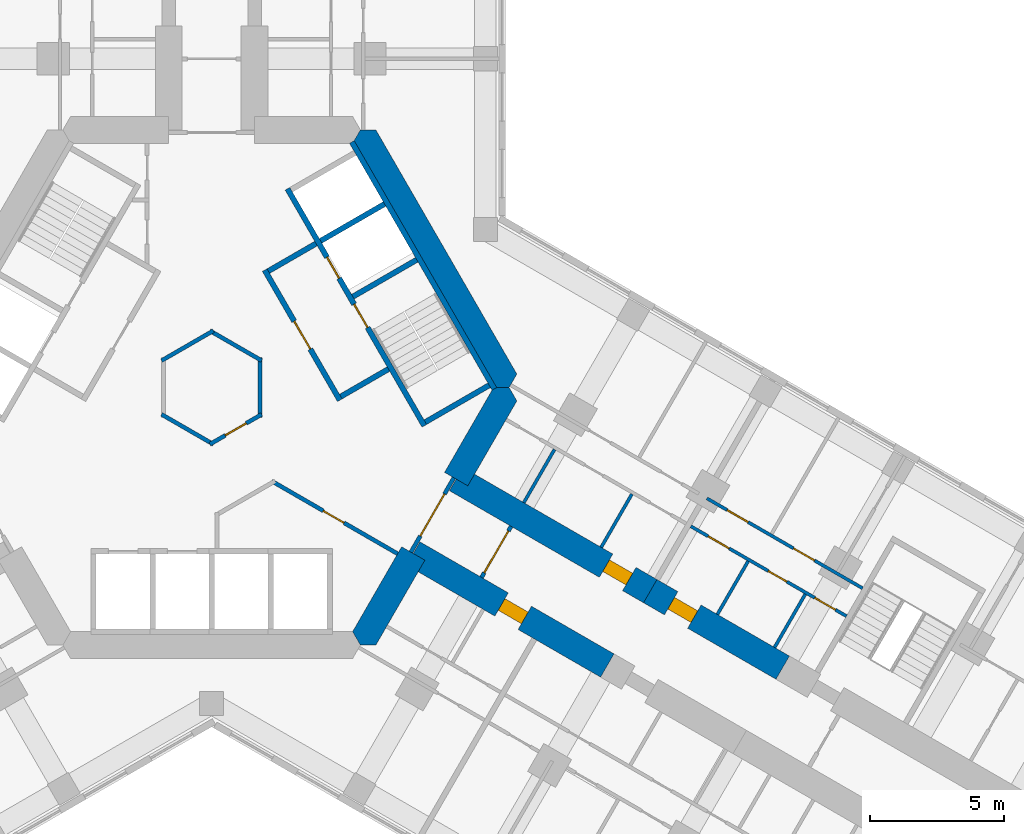
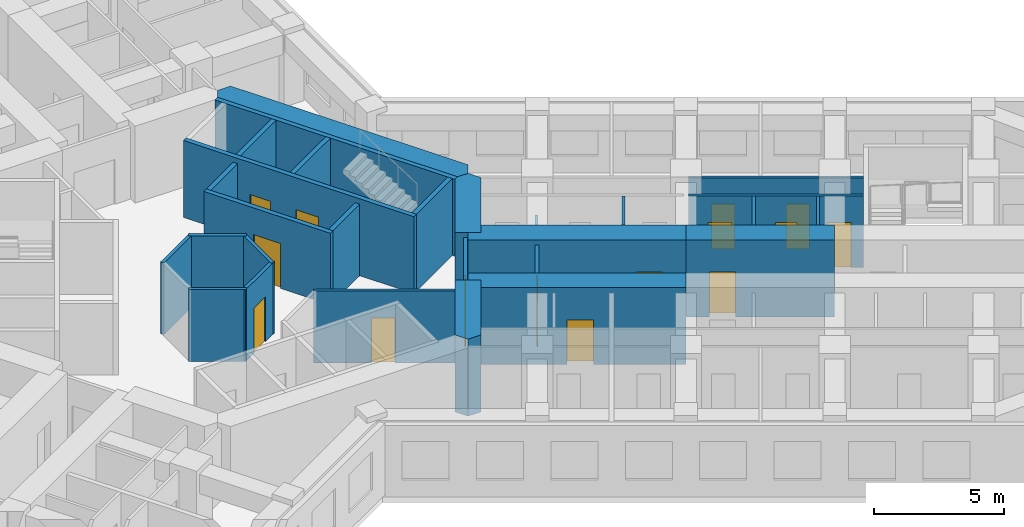
# One storey, part 15 of 21: 28 walls, 15 doors, 15 openings.
"""IFC4 building model written with IfcOpenShell, lengths in metres."""

from ifc_helpers import new_model, si_unit, direction, frame, frame_2d, origin, place, context, subcontext, project, spatial, polyline, rectangle, outline, extrude, material, layer, layer_set, type_object, element, fill, save


model = new_model("IFC4")

# Units and contexts
model_context = context("Model", 3, precision=1e-05, world=origin(), true_north=direction((0.0, 1.0)))
body_context = subcontext(model_context, "Body", "Model", "MODEL_VIEW")
ifc_project = project(units=[si_unit("LENGTHUNIT", "METRE"), si_unit("AREAUNIT", "SQUARE_METRE"), si_unit("VOLUMEUNIT", "CUBIC_METRE"), si_unit("PLANEANGLEUNIT", "RADIAN"), si_unit("MASSUNIT", "GRAM", prefix="KILO")], contexts=[model_context])

# Site, building, storey
site_placement = place(None, origin())
site = spatial("IfcSite", under=ifc_project, at=site_placement, CompositionType="ELEMENT")
building_placement = place(site_placement, origin())
building = spatial("IfcBuilding", under=site, at=building_placement, Name="Kosmar Iwan School Tower", CompositionType="ELEMENT")
storey_placement = place(building_placement, frame((0.0, 0.0, 80.800048828125)))
storey = spatial("IfcBuildingStorey", under=building, at=storey_placement, Name="L19", CompositionType="ELEMENT", Elevation=80.800048828125)

# Wall, opening, door
ifc_material_1 = material(Name="Gypsum board on steel studs, fire-rated", Category="steel")
ifc_layer_1 = layer(ifc_material_1, 0.14990234375)
ifc_layer_set_1 = layer_set([ifc_layer_1], Name="Core room partition 150")
wall_type_1 = type_object("IfcWallType", Name="Core room partition 150", PredefinedType="PARTITIONING", material=ifc_layer_set_1)
wall_1_placement = place(storey_placement, frame((1.864990234375, -1.001708984375, 0.0), z_axis=(0.0, 0.0, 1.0), x_axis=(-0.866023215828, -0.500003789632, 0.0)))
wall_1 = element("IfcWall", 1, at=wall_1_placement, inside=storey, type_object=wall_type_1, Name="Core room partition L19-CW4", PredefinedType="PARTITIONING", context=body_context, shape_type="SweptSolid", body=[
    extrude(rectangle(XDim=2.228515625, YDim=0.14990234375, at=frame_2d((1.1142578125, 0.0))), origin(), (0.0, 0.0, 1.0), 3.349853515625),
])
opening_1_placement = place(wall_1_placement, frame((0.6640625, 0.0, 0.0)))
opening_1 = element("IfcOpeningElement", 2, at=opening_1_placement, cuts=wall_1, Name="Opening D14", PredefinedType="OPENING", context=body_context, shape_type="SweptSolid", body=[
    extrude(rectangle(XDim=0.89990234375, YDim=2.10009765625, at=frame_2d((0.449951171875, 1.050048828125))), frame((0.0, 0.0869140625, 0.0), z_axis=(0.0, -1.0, 0.0), x_axis=(1.0, 0.0, 0.0)), (0.0, 0.0, 1.0), 0.173828125),
])
ifc_material_2 = material(Name="Timber fire door in steel frame", Category="steel")
door_type_1 = type_object("IfcDoorType", Name="Core room door 900x2100", OperationType="SINGLE_SWING_LEFT", PredefinedType="DOOR", material=ifc_material_2)
door_1_placement = place(opening_1_placement, origin())
door_1 = element("IfcDoor", 3, at=door_1_placement, inside=storey, type_object=door_type_1, Name="Communications room door L19 3", OperationType="SINGLE_SWING_RIGHT", OverallHeight=2.10009765625, OverallWidth=0.89990234375, PredefinedType="DOOR", context=body_context, shape_type="SweptSolid", body=[
    extrude(rectangle(XDim=0.89990234375, YDim=2.10009765625, at=frame_2d((0.449951171875, 1.050048828125))), frame((0.0, 0.02490234375, 0.0), z_axis=(0.0, -1.0, 0.0), x_axis=(1.0, 0.0, 0.0)), (0.0, 0.0, 1.0), 0.050048828125),
])
fill(opening_1, door_1)

# Walls
for number, where, z_axis, x_axis, name in (
    (4, (0.06494140625, -2.115966796875, 0.0), (0.0, 0.0, 1.0), (-0.866023215828, 0.500003789632, 0.0), "Core room partition L19-CW5"),
    (5, (-1.864990234375, 1.001708984375, 0.0), (0.0, 0.0, 1.0), (0.866023215828, 0.500003789632, 0.0), "Core room partition L19-CW7"),
    (6, (-0.06494140625, 2.115966796875, 0.0), (0.0, 0.0, 1.0), (0.866023215828, -0.500003789632, 0.0), "Core room partition L19-CW8"),
    (7, (1.800048828125, 1.1142578125, 0.0), (0.0, 0.0, 1.0), (0.0, -1.0, 0.0), "Core room partition L19-CW9"),
):
    element("IfcWall", number, at=place(storey_placement, frame(where, z_axis=z_axis, x_axis=x_axis)), inside=storey, type_object=wall_type_1, Name=name, PredefinedType="PARTITIONING", context=body_context, shape_type="SweptSolid", body=[
        extrude(rectangle(XDim=2.228515625, YDim=0.14990234375, at=frame_2d((1.1142578125, 0.0))), origin(), (0.0, 0.0, 1.0), 3.349853515625),
    ])

# Wall, opening, door
wall_2_placement = place(storey_placement, frame((2.235107421875, -3.484375, 0.0), z_axis=(0.0, 0.0, 1.0), x_axis=(0.866020628587, -0.500008270794, 0.0)))
wall_2 = element("IfcWall", 8, at=wall_2_placement, inside=storey, type_object=wall_type_1, Name="Core room partition L19-CW11", PredefinedType="PARTITIONING", context=body_context, shape_type="SweptSolid", body=[
    extrude(rectangle(XDim=5.42236328125, YDim=0.14990234375, at=frame_2d((2.711181640625, 0.0))), origin(), (0.0, 0.0, 1.0), 3.349853515625),
])
opening_2_placement = place(wall_2_placement, frame((2.218994140625, 0.0, 0.0)))
opening_2 = element("IfcOpeningElement", 9, at=opening_2_placement, cuts=wall_2, Name="Opening D14", PredefinedType="OPENING", context=body_context, shape_type="SweptSolid", body=[
    extrude(rectangle(XDim=0.89990234375, YDim=2.10009765625, at=frame_2d((0.449951171875, 1.050048828125))), frame((0.0, 0.0869140625, 0.0), z_axis=(0.0, -1.0, 0.0), x_axis=(1.0, 0.0, 0.0)), (0.0, 0.0, 1.0), 0.173828125),
])
door_2_placement = place(opening_2_placement, origin())
door_2 = element("IfcDoor", 10, at=door_2_placement, inside=storey, type_object=door_type_1, Name="Bulky waste store door L19 4", OperationType="SINGLE_SWING_LEFT", OverallHeight=2.10009765625, OverallWidth=0.89990234375, PredefinedType="DOOR", context=body_context, shape_type="SweptSolid", body=[
    extrude(rectangle(XDim=0.89990234375, YDim=2.10009765625, at=frame_2d((0.449951171875, 1.050048828125))), frame((0.0, 0.02490234375, 0.0), z_axis=(0.0, -1.0, 0.0), x_axis=(1.0, 0.0, 0.0)), (0.0, 0.0, 1.0), 0.050048828125),
])
fill(opening_2, door_2)

# Walls
ifc_material_3 = material(Name="Concrete C50/60", Category="concrete")
ifc_layer_2 = layer(ifc_material_3, 1.0)
ifc_layer_set_2 = layer_set([ifc_layer_2], Name="Core wall 1000")
wall_type_2 = type_object("IfcWallType", Name="Core wall 1000", PredefinedType="SHEAR", material=ifc_layer_set_2)
wall_3_placement = place(storey_placement, origin())
element("IfcWall", 11, at=wall_3_placement, inside=storey, type_object=wall_type_2, Name="Core wall F030", PredefinedType="SHEAR", context=body_context, shape_type="SweptSolid", body=[
    extrude(outline(polyline([(10.5078125, 0.0), (11.085205078125, 0.0), (11.373779296875, 0.5), (6.119873046875, 9.60009765625), (5.54248046875, 9.60009765625), (5.25390625, 9.10009765625), (10.5078125, 0.0)])), origin(), (0.0, 0.0, 1.0), 3.599853515625),
])
wall_4_placement = place(storey_placement, origin())
element("IfcWall", 12, at=wall_4_placement, inside=storey, type_object=wall_type_2, Name="Core wall F330a", PredefinedType="SHEAR", context=body_context, shape_type="SweptSolid", body=[
    extrude(outline(polyline([(5.54248046875, -9.60009765625), (6.119873046875, -9.60009765625), (7.94677734375, -6.435546875), (7.080810546875, -5.935546875), (5.25390625, -9.10009765625), (5.54248046875, -9.60009765625)])), origin(), (0.0, 0.0, 1.0), 3.599853515625),
])
wall_5_placement = place(storey_placement, origin())
element("IfcWall", 13, at=wall_5_placement, inside=storey, type_object=wall_type_2, Name="Core wall F330b", PredefinedType="SHEAR", context=body_context, shape_type="SweptSolid", body=[
    extrude(outline(polyline([(9.546875, -3.664306640625), (11.373779296875, -0.5), (11.085205078125, 0.0), (10.5078125, 0.0), (8.680908203125, -3.164306640625), (9.546875, -3.664306640625)])), origin(), (0.0, 0.0, 1.0), 3.599853515625),
])

# Wall, opening, door
ifc_material_4 = material(Name="Concrete C50/60", Category="concrete")
ifc_layer_3 = layer(ifc_material_4, 1.0)
ifc_layer_set_3 = layer_set([ifc_layer_3], Name="Corridor buttress wall 1000")
wall_type_3 = type_object("IfcWallType", Name="Corridor buttress wall 1000", PredefinedType="SHEAR", material=ifc_layer_set_3)
wall_6_placement = place(storey_placement, frame((9.11376953125, -3.414306640625, 0.0), z_axis=(0.0, 0.0, 1.0), x_axis=(0.866026859388, -0.499997478812, 0.0)))
wall_6 = element("IfcWall", 14, at=wall_6_placement, inside=storey, type_object=wall_type_3, Name="Corridor wall CL", PredefinedType="SHEAR", context=body_context, shape_type="SweptSolid", body=[
    extrude(rectangle(XDim=8.35009765625, YDim=1.0, at=frame_2d((4.175048828125, 0.0))), origin(), (0.0, 0.0, 1.0), 3.599853515625),
])
opening_3_placement = place(wall_6_placement, frame((6.449951171875, 0.0, 0.0)))
opening_3 = element("IfcOpeningElement", 15, at=opening_3_placement, cuts=wall_6, Name="Opening D1", PredefinedType="OPENING", context=body_context, shape_type="SweptSolid", body=[
    extrude(rectangle(XDim=1.0, YDim=2.10009765625, at=frame_2d((0.5, 1.050048828125))), frame((0.0, 0.511962890625, 0.0), z_axis=(0.0, -1.0, 0.0), x_axis=(1.0, 0.0, 0.0)), (0.0, 0.0, 1.0), 1.02392578125),
])
ifc_material_5 = material(Name="Timber fire door in steel frame", Category="steel")
door_type_2 = type_object("IfcDoorType", Name="Flat entrance door 1000x2100", OperationType="SINGLE_SWING_LEFT", PredefinedType="DOOR", material=ifc_material_5)
door_3_placement = place(opening_3_placement, origin())
door_3 = element("IfcDoor", 16, at=door_3_placement, inside=storey, type_object=door_type_2, Name="Flat L19-CL1 entrance door", OperationType="SINGLE_SWING_LEFT", OverallHeight=2.10009765625, OverallWidth=1.0, PredefinedType="DOOR", context=body_context, shape_type="SweptSolid", body=[
    extrude(rectangle(XDim=1.0, YDim=2.10009765625, at=frame_2d((0.5, 1.050048828125))), frame((0.0, 0.25, 0.0), z_axis=(0.0, -1.0, 0.0), x_axis=(1.0, 0.0, 0.0)), (0.0, 0.0, 1.0), 0.5),
])
fill(opening_3, door_3)

wall_7_placement = place(storey_placement, frame((16.34521484375, -7.58935546875, 0.0), z_axis=(0.0, 0.0, 1.0), x_axis=(0.866015111908, -0.50001782563, 0.0)))
wall_7 = element("IfcWall", 17, at=wall_7_placement, inside=storey, type_object=wall_type_3, Name="Corridor wall CL bay 2", PredefinedType="SHEAR", context=body_context, shape_type="SweptSolid", body=[
    extrude(rectangle(XDim=5.699951171875, YDim=1.0, at=frame_2d((2.85009765625, 0.0))), origin(), (0.0, 0.0, 1.0), 3.599853515625),
])
opening_4_placement = place(wall_7_placement, frame((0.89990234375, 0.0, 0.0)))
opening_4 = element("IfcOpeningElement", 18, at=opening_4_placement, cuts=wall_7, Name="Opening D1", PredefinedType="OPENING", context=body_context, shape_type="SweptSolid", body=[
    extrude(rectangle(XDim=1.0, YDim=2.10009765625, at=frame_2d((0.5, 1.050048828125))), frame((0.0, 0.511962890625, 0.0), z_axis=(0.0, -1.0, 0.0), x_axis=(1.0, 0.0, 0.0)), (0.0, 0.0, 1.0), 1.02392578125),
])
door_4_placement = place(opening_4_placement, origin())
door_4 = element("IfcDoor", 19, at=door_4_placement, inside=storey, type_object=door_type_2, Name="Flat L19-CL2 entrance door", OperationType="SINGLE_SWING_RIGHT", OverallHeight=2.10009765625, OverallWidth=1.0, PredefinedType="DOOR", context=body_context, shape_type="SweptSolid", body=[
    extrude(rectangle(XDim=1.0, YDim=2.10009765625, at=frame_2d((0.5, 1.050048828125))), frame((0.0, 0.25, 0.0), z_axis=(0.0, -1.0, 0.0), x_axis=(1.0, 0.0, 0.0)), (0.0, 0.0, 1.0), 0.5),
])
fill(opening_4, door_4)

wall_8_placement = place(storey_placement, frame((7.513916015625, -6.185546875, 0.0), z_axis=(0.0, 0.0, 1.0), x_axis=(0.866019549707, -0.500010139422, 0.0)))
wall_8 = element("IfcWall", 20, at=wall_8_placement, inside=storey, type_object=wall_type_3, Name="Corridor wall CR", PredefinedType="SHEAR", context=body_context, shape_type="SweptSolid", body=[
    extrude(rectangle(XDim=8.349853515625, YDim=1.0, at=frame_2d((4.1748046875, 0.0))), origin(), (0.0, 0.0, 1.0), 3.599853515625),
])
opening_5_placement = place(wall_8_placement, frame((3.800048828125, 0.0, 0.0)))
opening_5 = element("IfcOpeningElement", 21, at=opening_5_placement, cuts=wall_8, Name="Opening D1", PredefinedType="OPENING", context=body_context, shape_type="SweptSolid", body=[
    extrude(rectangle(XDim=1.0, YDim=2.10009765625, at=frame_2d((0.5, 1.050048828125))), frame((0.0, 0.511962890625, 0.0), z_axis=(0.0, -1.0, 0.0), x_axis=(1.0, 0.0, 0.0)), (0.0, 0.0, 1.0), 1.02392578125),
])
door_5_placement = place(opening_5_placement, origin())
door_5 = element("IfcDoor", 22, at=door_5_placement, inside=storey, type_object=door_type_2, Name="Flat L19-CR1 entrance door", OperationType="SINGLE_SWING_LEFT", OverallHeight=2.10009765625, OverallWidth=1.0, PredefinedType="DOOR", context=body_context, shape_type="SweptSolid", body=[
    extrude(rectangle(XDim=1.0, YDim=2.10009765625, at=frame_2d((0.5, 1.050048828125))), frame((0.0, 0.25, 0.0), z_axis=(0.0, -1.0, 0.0), x_axis=(1.0, 0.0, 0.0)), (0.0, 0.0, 1.0), 0.5),
])
fill(opening_5, door_5)

ifc_material_6 = material(Name="Gypsum board on steel studs, fire-rated", Category="steel")
ifc_layer_4 = layer(ifc_material_6, 0.14990234375)
ifc_layer_set_4 = layer_set([ifc_layer_4], Name="Corridor end wall 150")
wall_type_4 = type_object("IfcWallType", Name="Corridor end wall 150", PredefinedType="PARTITIONING", material=ifc_layer_set_4)
wall_9_placement = place(storey_placement, frame((10.058837890625, -7.07763671875, 0.0), z_axis=(0.0, 0.0, 1.0), x_axis=(0.50002983664, 0.866008176907, 0.0)))
wall_9 = element("IfcWall", 23, at=wall_9_placement, inside=storey, type_object=wall_type_4, Name="Partition L19-C-HW", PredefinedType="PARTITIONING", context=body_context, shape_type="SweptSolid", body=[
    extrude(rectangle(XDim=2.199951171875, YDim=0.14990234375, at=frame_2d((1.10009765625, 0.0))), origin(), (0.0, 0.0, 1.0), 3.349853515625),
])
opening_6_placement = place(wall_9_placement, frame((0.199951171875, 0.0, 0.0)))
opening_6 = element("IfcOpeningElement", 24, at=opening_6_placement, cuts=wall_9, Name="Opening D9", PredefinedType="OPENING", context=body_context, shape_type="SweptSolid", body=[
    extrude(rectangle(XDim=1.800048828125, YDim=2.10009765625, at=frame_2d((0.89990234375, 1.050048828125))), frame((0.0, 0.0869140625, 0.0), z_axis=(0.0, -1.0, 0.0), x_axis=(1.0, 0.0, 0.0)), (0.0, 0.0, 1.0), 0.173828125),
])
ifc_material_7 = material(Name="Steel framed glazed smoke door", Category="steel")
door_type_3 = type_object("IfcDoorType", Name="Corridor smoke door pair 1800x2100", OperationType="DOUBLE_DOOR_DOUBLE_SWING", PredefinedType="DOOR", material=ifc_material_7)
door_6_placement = place(opening_6_placement, origin())
door_6 = element("IfcDoor", 25, at=door_6_placement, inside=storey, type_object=door_type_3, Name="Entrance vestibule smoke doors L19-C", OperationType="DOUBLE_DOOR_DOUBLE_SWING", OverallHeight=2.10009765625, OverallWidth=1.800048828125, PredefinedType="DOOR", context=body_context, shape_type="SweptSolid", body=[
    extrude(rectangle(XDim=1.800048828125, YDim=2.10009765625, at=frame_2d((0.89990234375, 1.050048828125))), frame((0.0, 0.02490234375, 0.0), z_axis=(0.0, -1.0, 0.0), x_axis=(1.0, 0.0, 0.0)), (0.0, 0.0, 1.0), 0.050048828125),
])
fill(opening_6, door_6)

ifc_material_8 = material(Name="Steel framed glazed screen", Category="steel")
ifc_layer_5 = layer(ifc_material_8, 0.14990234375)
ifc_layer_set_5 = layer_set([ifc_layer_5], Name="Corridor screen wall 150")
wall_type_5 = type_object("IfcWallType", Name="Corridor screen wall 150", PredefinedType="PARTITIONING", material=ifc_layer_set_5)
wall_10_placement = place(storey_placement, frame((7.42724609375, -6.1357421875, 0.0), z_axis=(0.0, 0.0, 1.0), x_axis=(0.499995408039, 0.866028054938, 0.0)))
wall_10 = element("IfcWall", 26, at=wall_10_placement, inside=storey, type_object=wall_type_5, Name="Corridor screen C L19", PredefinedType="PARTITIONING", context=body_context, shape_type="SweptSolid", body=[
    extrude(rectangle(XDim=3.2001953125, YDim=0.14990234375, at=frame_2d((1.60009765625, 0.0))), origin(), (0.0, 0.0, 1.0), 3.349853515625),
])
opening_7_placement = place(wall_10_placement, frame((0.699951171875, 0.0, 0.0)))
opening_7 = element("IfcOpeningElement", 27, at=opening_7_placement, cuts=wall_10, Name="Opening D9", PredefinedType="OPENING", context=body_context, shape_type="SweptSolid", body=[
    extrude(rectangle(XDim=1.800048828125, YDim=2.10009765625, at=frame_2d((0.89990234375, 1.050048828125))), frame((0.0, 0.0869140625, 0.0), z_axis=(0.0, -1.0, 0.0), x_axis=(1.0, 0.0, 0.0)), (0.0, 0.0, 1.0), 0.173828125),
])
door_7_placement = place(opening_7_placement, origin())
door_7 = element("IfcDoor", 28, at=door_7_placement, inside=storey, type_object=door_type_3, Name="Corridor doors C L19", OperationType="DOUBLE_DOOR_DOUBLE_SWING", OverallHeight=2.10009765625, OverallWidth=1.800048828125, PredefinedType="DOOR", context=body_context, shape_type="SweptSolid", body=[
    extrude(rectangle(XDim=1.800048828125, YDim=2.10009765625, at=frame_2d((0.89990234375, 1.050048828125))), frame((0.0, 0.02490234375, 0.0), z_axis=(0.0, -1.0, 0.0), x_axis=(1.0, 0.0, 0.0)), (0.0, 0.0, 1.0), 0.050048828125),
])
fill(opening_7, door_7)

# Walls
ifc_material_9 = material(Name="Gypsum board on steel studs", Category="steel")
ifc_layer_6 = layer(ifc_material_9, 0.1201171875)
ifc_layer_set_6 = layer_set([ifc_layer_6], Name="Dwelling partition 120")
wall_type_6 = type_object("IfcWallType", Name="Dwelling partition 120", PredefinedType="PARTITIONING", material=ifc_layer_set_6)
wall_11_placement = place(storey_placement, frame((11.6328125, -4.291259765625, 0.0), z_axis=(0.0, 0.0, 1.0), x_axis=(0.500014693593, 0.866016920268, 0.0)))
element("IfcWall", 29, at=wall_11_placement, inside=storey, type_object=wall_type_6, Name="Partition L19-CL1-Y1", PredefinedType="PARTITIONING", context=body_context, shape_type="SweptSolid", body=[
    extrude(rectangle(XDim=2.2900390625, YDim=0.1201171875, at=frame_2d((1.14501953125, 0.0))), origin(), (0.0, 0.0, 1.0), 2.449951171875),
])
wall_12_placement = place(storey_placement, frame((14.5166015625, -5.956298828125, 0.0), z_axis=(0.0, 0.0, 1.0), x_axis=(0.500014693593, 0.866016920268, 0.0)))
element("IfcWall", 30, at=wall_12_placement, inside=storey, type_object=wall_type_6, Name="Partition L19-CL1-Y2", PredefinedType="PARTITIONING", context=body_context, shape_type="SweptSolid", body=[
    extrude(rectangle(XDim=2.2900390625, YDim=0.1201171875, at=frame_2d((1.14501953125, 0.0))), origin(), (0.0, 0.0, 1.0), 3.349853515625),
])

# Wall, openings, doors
wall_13_placement = place(storey_placement, frame((17.856689453125, -5.171142578125, 0.0), z_axis=(0.0, 0.0, 1.0), x_axis=(0.866023571113, -0.500003174267, 0.0)))
wall_13 = element("IfcWall", 31, at=wall_13_placement, inside=storey, type_object=wall_type_6, Name="Partition L19-CL2-W1", PredefinedType="PARTITIONING", context=body_context, shape_type="SweptSolid", body=[
    extrude(rectangle(XDim=6.7001953125, YDim=0.1201171875, at=frame_2d((3.35009765625, 0.0))), origin(), (0.0, 0.0, 1.0), 3.349853515625),
])
opening_8_placement = place(wall_13_placement, frame((0.75, 0.0, 0.0)))
opening_8 = element("IfcOpeningElement", 32, at=opening_8_placement, cuts=wall_13, Name="Opening D2", PredefinedType="OPENING", context=body_context, shape_type="SweptSolid", body=[
    extrude(rectangle(XDim=0.89990234375, YDim=2.10009765625, at=frame_2d((0.449951171875, 1.050048828125))), frame((0.0, 0.072021484375, 0.0), z_axis=(0.0, -1.0, 0.0), x_axis=(1.0, 0.0, 0.0)), (0.0, 0.0, 1.0), 0.14404296875),
])
opening_9_placement = place(wall_13_placement, frame((3.330078125, 0.0, 0.0)))
opening_9 = element("IfcOpeningElement", 33, at=opening_9_placement, cuts=wall_13, Name="Opening D3", PredefinedType="OPENING", context=body_context, shape_type="SweptSolid", body=[
    extrude(rectangle(XDim=0.800048828125, YDim=2.10009765625, at=frame_2d((0.39990234375, 1.050048828125))), frame((0.0, 0.072021484375, 0.0), z_axis=(0.0, -1.0, 0.0), x_axis=(1.0, 0.0, 0.0)), (0.0, 0.0, 1.0), 0.14404296875),
])
opening_10_placement = place(wall_13_placement, frame((5.330078125, 0.0, 0.0)))
opening_10 = element("IfcOpeningElement", 34, at=opening_10_placement, cuts=wall_13, Name="Opening D2", PredefinedType="OPENING", context=body_context, shape_type="SweptSolid", body=[
    extrude(rectangle(XDim=0.89990234375, YDim=2.10009765625, at=frame_2d((0.449951171875, 1.050048828125))), frame((0.0, 0.072021484375, 0.0), z_axis=(0.0, -1.0, 0.0), x_axis=(1.0, 0.0, 0.0)), (0.0, 0.0, 1.0), 0.14404296875),
])
ifc_material_10 = material(Name="Timber door in timber frame", Category="wood")
door_type_4 = type_object("IfcDoorType", Name="Internal door 900x2100", OperationType="SINGLE_SWING_LEFT", PredefinedType="DOOR", material=ifc_material_10)
door_8_placement = place(opening_8_placement, origin())
door_8 = element("IfcDoor", 35, at=door_8_placement, inside=storey, type_object=door_type_4, Name="Entrance hall door L19-CL2-S1", OperationType="SINGLE_SWING_LEFT", OverallHeight=2.10009765625, OverallWidth=0.89990234375, PredefinedType="DOOR", context=body_context, shape_type="SweptSolid", body=[
    extrude(rectangle(XDim=0.89990234375, YDim=2.10009765625, at=frame_2d((0.449951171875, 1.050048828125))), frame((0.0, 0.02490234375, 0.0), z_axis=(0.0, -1.0, 0.0), x_axis=(1.0, 0.0, 0.0)), (0.0, 0.0, 1.0), 0.050048828125),
])
fill(opening_8, door_8)
door_9_placement = place(opening_10_placement, frame((0.89990234375, 0.0, 0.0), z_axis=(0.0, 0.0, 1.0), x_axis=(-1.0, 0.0, 0.0)))
door_9 = element("IfcDoor", 36, at=door_9_placement, inside=storey, type_object=door_type_4, Name="Pantry door L19-CL2-S3", OperationType="SINGLE_SWING_LEFT", OverallHeight=2.10009765625, OverallWidth=0.89990234375, PredefinedType="DOOR", context=body_context, shape_type="SweptSolid", body=[
    extrude(rectangle(XDim=0.89990234375, YDim=2.10009765625, at=frame_2d((0.449951171875, 1.050048828125))), frame((0.0, 0.02490234375, 0.0), z_axis=(0.0, -1.0, 0.0), x_axis=(1.0, 0.0, 0.0)), (0.0, 0.0, 1.0), 0.050048828125),
])
fill(opening_10, door_9)
ifc_material_11 = material(Name="Timber door in timber frame", Category="wood")
door_type_5 = type_object("IfcDoorType", Name="Sanitary room door 800x2100", OperationType="SINGLE_SWING_LEFT", PredefinedType="DOOR", material=ifc_material_11)
door_10_placement = place(opening_9_placement, origin())
door_10 = element("IfcDoor", 37, at=door_10_placement, inside=storey, type_object=door_type_5, Name="Bathroom door L19-CL2-S2", OperationType="SINGLE_SWING_RIGHT", OverallHeight=2.10009765625, OverallWidth=0.800048828125, PredefinedType="DOOR", context=body_context, shape_type="SweptSolid", body=[
    extrude(rectangle(XDim=0.800048828125, YDim=2.10009765625, at=frame_2d((0.39990234375, 1.050048828125))), frame((0.0, 0.02490234375, 0.0), z_axis=(0.0, -1.0, 0.0), x_axis=(1.0, 0.0, 0.0)), (0.0, 0.0, 1.0), 0.050048828125),
])
fill(opening_9, door_10)

wall_14_placement = place(storey_placement, frame((18.456787109375, -4.1318359375, 0.0), z_axis=(0.0, 0.0, 1.0), x_axis=(0.866014461049, -0.500018952895, 0.0)))
wall_14 = element("IfcWall", 38, at=wall_14_placement, inside=storey, type_object=wall_type_6, Name="Partition L19-CL2-W2", PredefinedType="PARTITIONING", context=body_context, shape_type="SweptSolid", body=[
    extrude(rectangle(XDim=6.699951171875, YDim=0.1201171875, at=frame_2d((3.35009765625, 0.0))), origin(), (0.0, 0.0, 1.0), 3.349853515625),
])
opening_11_placement = place(wall_14_placement, frame((0.875, 0.0, 0.0)))
opening_11 = element("IfcOpeningElement", 39, at=opening_11_placement, cuts=wall_14, Name="Opening D2", PredefinedType="OPENING", context=body_context, shape_type="SweptSolid", body=[
    extrude(rectangle(XDim=0.89990234375, YDim=2.10009765625, at=frame_2d((0.449951171875, 1.050048828125))), frame((0.0, 0.072021484375, 0.0), z_axis=(0.0, -1.0, 0.0), x_axis=(1.0, 0.0, 0.0)), (0.0, 0.0, 1.0), 0.14404296875),
])
opening_12_placement = place(wall_14_placement, frame((3.72509765625, 0.0, 0.0)))
opening_12 = element("IfcOpeningElement", 40, at=opening_12_placement, cuts=wall_14, Name="Opening D2", PredefinedType="OPENING", context=body_context, shape_type="SweptSolid", body=[
    extrude(rectangle(XDim=0.89990234375, YDim=2.10009765625, at=frame_2d((0.449951171875, 1.050048828125))), frame((0.0, 0.072021484375, 0.0), z_axis=(0.0, -1.0, 0.0), x_axis=(1.0, 0.0, 0.0)), (0.0, 0.0, 1.0), 0.14404296875),
])
door_11_placement = place(opening_11_placement, origin())
door_11 = element("IfcDoor", 41, at=door_11_placement, inside=storey, type_object=door_type_4, Name="Living room and kitchen door L19-CL2-F1", OperationType="SINGLE_SWING_RIGHT", OverallHeight=2.10009765625, OverallWidth=0.89990234375, PredefinedType="DOOR", context=body_context, shape_type="SweptSolid", body=[
    extrude(rectangle(XDim=0.89990234375, YDim=2.10009765625, at=frame_2d((0.449951171875, 1.050048828125))), frame((0.0, 0.02490234375, 0.0), z_axis=(0.0, -1.0, 0.0), x_axis=(1.0, 0.0, 0.0)), (0.0, 0.0, 1.0), 0.050048828125),
])
fill(opening_11, door_11)
door_12_placement = place(opening_12_placement, origin())
door_12 = element("IfcDoor", 42, at=door_12_placement, inside=storey, type_object=door_type_4, Name="Bedroom 1 door L19-CL2-F2", OperationType="SINGLE_SWING_LEFT", OverallHeight=2.10009765625, OverallWidth=0.89990234375, PredefinedType="DOOR", context=body_context, shape_type="SweptSolid", body=[
    extrude(rectangle(XDim=0.89990234375, YDim=2.10009765625, at=frame_2d((0.449951171875, 1.050048828125))), frame((0.0, 0.02490234375, 0.0), z_axis=(0.0, -1.0, 0.0), x_axis=(1.0, 0.0, 0.0)), (0.0, 0.0, 1.0), 0.050048828125),
])
fill(opening_12, door_12)

# Walls
for number, where, z_axis, x_axis, name in (
    (43, (18.846923828125, -8.456298828125, 0.0), (0.0, 0.0, 1.0), (0.500014693593, 0.866016920268, 0.0), "Partition L19-CL2-Y1"),
    (44, (20.977294921875, -9.686279296875, 0.0), (0.0, 0.0, 1.0), (0.500014693593, 0.866016920268, 0.0), "Partition L19-CL2-Y2"),
):
    element("IfcWall", number, at=place(storey_placement, frame(where, z_axis=z_axis, x_axis=x_axis)), inside=storey, type_object=wall_type_6, Name=name, PredefinedType="PARTITIONING", context=body_context, shape_type="SweptSolid", body=[
        extrude(rectangle(XDim=2.2900390625, YDim=0.1201171875, at=frame_2d((1.14501953125, 0.0))), origin(), (0.0, 0.0, 1.0), 3.349853515625),
    ])

# Wall, opening, door
ifc_material_12 = material(Name="Concrete block masonry", Category="masonry")
ifc_layer_7 = layer(ifc_material_12, 0.199951171875)
ifc_layer_set_7 = layer_set([ifc_layer_7], Name="Fire lobby wall 200")
wall_type_7 = type_object("IfcWallType", Name="Fire lobby wall 200", PredefinedType="PARTITIONING", material=ifc_layer_set_7)
wall_15_placement = place(storey_placement, frame((4.777587890625, -0.474853515625, 0.0), z_axis=(0.0, 0.0, 1.0), x_axis=(-0.500016814911, 0.866015695474, 0.0)))
wall_15 = element("IfcWall", 45, at=wall_15_placement, inside=storey, type_object=wall_type_7, Name="Firefighting lobby wall ST1", PredefinedType="PARTITIONING", context=body_context, shape_type="SweptSolid", body=[
    extrude(rectangle(XDim=5.599853515625, YDim=0.199951171875, at=frame_2d((2.7998046875, 0.0))), origin(), (0.0, 0.0, 1.0), 3.349853515625),
])
opening_13_placement = place(wall_15_placement, frame((2.199951171875, 0.0, 0.0)))
opening_13 = element("IfcOpeningElement", 46, at=opening_13_placement, cuts=wall_15, Name="Opening D7", PredefinedType="OPENING", context=body_context, shape_type="SweptSolid", body=[
    extrude(rectangle(XDim=1.199951171875, YDim=2.10009765625, at=frame_2d((0.60009765625, 1.050048828125))), frame((0.0, 0.112060546875, 0.0), z_axis=(0.0, -1.0, 0.0), x_axis=(1.0, 0.0, 0.0)), (0.0, 0.0, 1.0), 0.223876953125),
])
ifc_material_13 = material(Name="Steel fire door", Category="steel")
door_type_6 = type_object("IfcDoorType", Name="Fire lobby door 1200x2100", OperationType="SINGLE_SWING_LEFT", PredefinedType="DOOR", material=ifc_material_13)
door_13_placement = place(opening_13_placement, origin())
door_13 = element("IfcDoor", 47, at=door_13_placement, inside=storey, type_object=door_type_6, Name="Firefighting lobby door ST1 L19", OperationType="SINGLE_SWING_LEFT", OverallHeight=2.10009765625, OverallWidth=1.199951171875, PredefinedType="DOOR", context=body_context, shape_type="SweptSolid", body=[
    extrude(rectangle(XDim=1.199951171875, YDim=2.10009765625, at=frame_2d((0.60009765625, 1.050048828125))), frame((0.0, 0.02490234375, 0.0), z_axis=(0.0, -1.0, 0.0), x_axis=(1.0, 0.0, 0.0)), (0.0, 0.0, 1.0), 0.050048828125),
])
fill(opening_13, door_13)

# Walls
wall_16_placement = place(storey_placement, frame((4.814208984375, -0.33837890625, 0.0), z_axis=(0.0, 0.0, 1.0), x_axis=(0.865969381856, 0.500097020274, 0.0)))
element("IfcWall", 48, at=wall_16_placement, inside=storey, type_object=wall_type_7, Name="Firefighting lobby wall ST1", PredefinedType="PARTITIONING", context=body_context, shape_type="SweptSolid", body=[
    extrude(rectangle(XDim=2.0498046875, YDim=0.199951171875, at=frame_2d((1.02490234375, 0.0))), origin(), (0.0, 0.0, 1.0), 3.349853515625),
])
wall_17_placement = place(storey_placement, frame((2.114013671875, 4.33837890625, 0.0), z_axis=(0.0, 0.0, 1.0), x_axis=(0.866050731258, 0.499956128963, 0.0)))
element("IfcWall", 49, at=wall_17_placement, inside=storey, type_object=wall_type_7, Name="Firefighting lobby wall ST1", PredefinedType="PARTITIONING", context=body_context, shape_type="SweptSolid", body=[
    extrude(rectangle(XDim=2.050048828125, YDim=0.199951171875, at=frame_2d((1.02490234375, 0.0))), origin(), (0.0, 0.0, 1.0), 3.349853515625),
])

# Wall, openings, doors
ifc_material_14 = material(Name="Concrete C50/60", Category="concrete")
ifc_layer_8 = layer(ifc_material_14, 0.199951171875)
ifc_layer_set_8 = layer_set([ifc_layer_8], Name="Lift shaft wall 200")
wall_type_8 = type_object("IfcWallType", Name="Lift shaft wall 200", PredefinedType="SHEAR", material=ifc_layer_set_8)
wall_18_placement = place(storey_placement, frame((7.926025390625, -1.42822265625, 0.0), z_axis=(0.0, 0.0, 1.0), x_axis=(-0.499998023675, 0.866026544813, 0.0)))
wall_18 = element("IfcWall", 50, at=wall_18_placement, inside=storey, type_object=wall_type_8, Name="Lift and stair front wall AC", PredefinedType="SHEAR", context=body_context, shape_type="SweptSolid", body=[
    extrude(rectangle(XDim=10.19970703125, YDim=0.199951171875, at=frame_2d((5.099853515625, 0.0))), origin(), (0.0, 0.0, 1.0), 3.599853515625),
])
opening_14_placement = place(wall_18_placement, frame((6.35009765625, 0.0, 0.0)))
opening_14 = element("IfcOpeningElement", 51, at=opening_14_placement, cuts=wall_18, Name="Opening LD2", PredefinedType="OPENING", context=body_context, shape_type="SweptSolid", body=[
    extrude(rectangle(XDim=0.89990234375, YDim=2.10009765625, at=frame_2d((0.449951171875, 1.050048828125))), frame((0.0, 0.112060546875, 0.0), z_axis=(0.0, -1.0, 0.0), x_axis=(1.0, 0.0, 0.0)), (0.0, 0.0, 1.0), 0.223876953125),
])
opening_15_placement = place(wall_18_placement, frame((4.22998046875, 0.0, 0.0)))
opening_15 = element("IfcOpeningElement", 52, at=opening_15_placement, cuts=wall_18, Name="Opening D6", PredefinedType="OPENING", context=body_context, shape_type="SweptSolid", body=[
    extrude(rectangle(XDim=1.0, YDim=2.10009765625, at=frame_2d((0.5, 1.050048828125))), frame((0.0, 0.112060546875, 0.0), z_axis=(0.0, -1.0, 0.0), x_axis=(1.0, 0.0, 0.0)), (0.0, 0.0, 1.0), 0.223876953125),
])
ifc_material_15 = material(Name="Stainless steel sliding lift door", Category="steel")
door_type_7 = type_object("IfcDoorType", Name="Firefighting lift landing door 900x2100", OperationType="SLIDING_TO_LEFT", PredefinedType="DOOR", material=ifc_material_15)
door_14_placement = place(opening_14_placement, origin())
door_14 = element("IfcDoor", 53, at=door_14_placement, inside=storey, type_object=door_type_7, Name="Lift FF1 landing door L19", OperationType="SLIDING_TO_LEFT", OverallHeight=2.10009765625, OverallWidth=0.89990234375, PredefinedType="DOOR", context=body_context, shape_type="SweptSolid", body=[
    extrude(rectangle(XDim=0.89990234375, YDim=2.10009765625, at=frame_2d((0.449951171875, 1.050048828125))), frame((0.0, 0.02490234375, 0.0), z_axis=(0.0, -1.0, 0.0), x_axis=(1.0, 0.0, 0.0)), (0.0, 0.0, 1.0), 0.050048828125),
])
fill(opening_14, door_14)
ifc_material_16 = material(Name="Steel fire door", Category="steel")
door_type_8 = type_object("IfcDoorType", Name="Stair door 1000x2100", OperationType="SINGLE_SWING_LEFT", PredefinedType="DOOR", material=ifc_material_16)
door_15_placement = place(opening_15_placement, origin())
door_15 = element("IfcDoor", 54, at=door_15_placement, inside=storey, type_object=door_type_8, Name="Stair ST1 door L19", OperationType="SINGLE_SWING_LEFT", OverallHeight=2.10009765625, OverallWidth=1.0, PredefinedType="DOOR", context=body_context, shape_type="SweptSolid", body=[
    extrude(rectangle(XDim=1.0, YDim=2.10009765625, at=frame_2d((0.5, 1.050048828125))), frame((0.0, 0.02490234375, 0.0), z_axis=(0.0, -1.0, 0.0), x_axis=(1.0, 0.0, 0.0)), (0.0, 0.0, 1.0), 0.050048828125),
])
fill(opening_15, door_15)

# Walls
wall_19_placement = place(storey_placement, frame((10.53662109375, -0.050048828125, 0.0), z_axis=(0.0, 0.0, 1.0), x_axis=(-0.499994998079, 0.866028291626, 0.0)))
element("IfcWall", 55, at=wall_19_placement, inside=storey, type_object=wall_type_8, Name="Lift and stair back wall AC", PredefinedType="SHEAR", context=body_context, shape_type="SweptSolid", body=[
    extrude(rectangle(XDim=10.623046875, YDim=0.199951171875, at=frame_2d((5.3115234375, 0.0))), origin(), (0.0, 0.0, 1.0), 3.599853515625),
])
wall_20_placement = place(storey_placement, frame((4.062744140625, 5.46337890625, 0.0), z_axis=(0.0, 0.0, 1.0), x_axis=(0.866027397988, 0.499996545922, 0.0)))
element("IfcWall", 56, at=wall_20_placement, inside=storey, type_object=wall_type_8, Name="Lift shaft wall AC 1", PredefinedType="SHEAR", context=body_context, shape_type="SweptSolid", body=[
    extrude(rectangle(XDim=2.75, YDim=0.199951171875, at=frame_2d((1.375, 0.0))), origin(), (0.0, 0.0, 1.0), 3.599853515625),
])
ifc_material_17 = material(Name="Concrete C50/60", Category="concrete")
ifc_layer_9 = layer(ifc_material_17, 0.199951171875)
ifc_layer_set_9 = layer_set([ifc_layer_9], Name="Stair enclosure wall 200")
wall_type_9 = type_object("IfcWallType", Name="Stair enclosure wall 200", PredefinedType="SHEAR", material=ifc_layer_set_9)
for number, where, z_axis, x_axis, name in (
    (57, (7.962646484375, -1.291748046875, 0.0), (0.0, 0.0, 1.0), (0.866027397988, 0.499996545922, 0.0), "Stair ST1 wall"),
    (58, (5.2626953125, 3.384765625, 0.0), (0.0, 0.0, 1.0), (0.866027397988, 0.499996545922, 0.0), "Stair ST1 wall"),
):
    element("IfcWall", number, at=place(storey_placement, frame(where, z_axis=z_axis, x_axis=x_axis)), inside=storey, type_object=wall_type_9, Name=name, PredefinedType="SHEAR", context=body_context, shape_type="SweptSolid", body=[
        extrude(rectangle(XDim=2.75, YDim=0.199951171875, at=frame_2d((1.375, 0.0))), origin(), (0.0, 0.0, 1.0), 3.599853515625),
    ])

save(model, "model.ifc")
